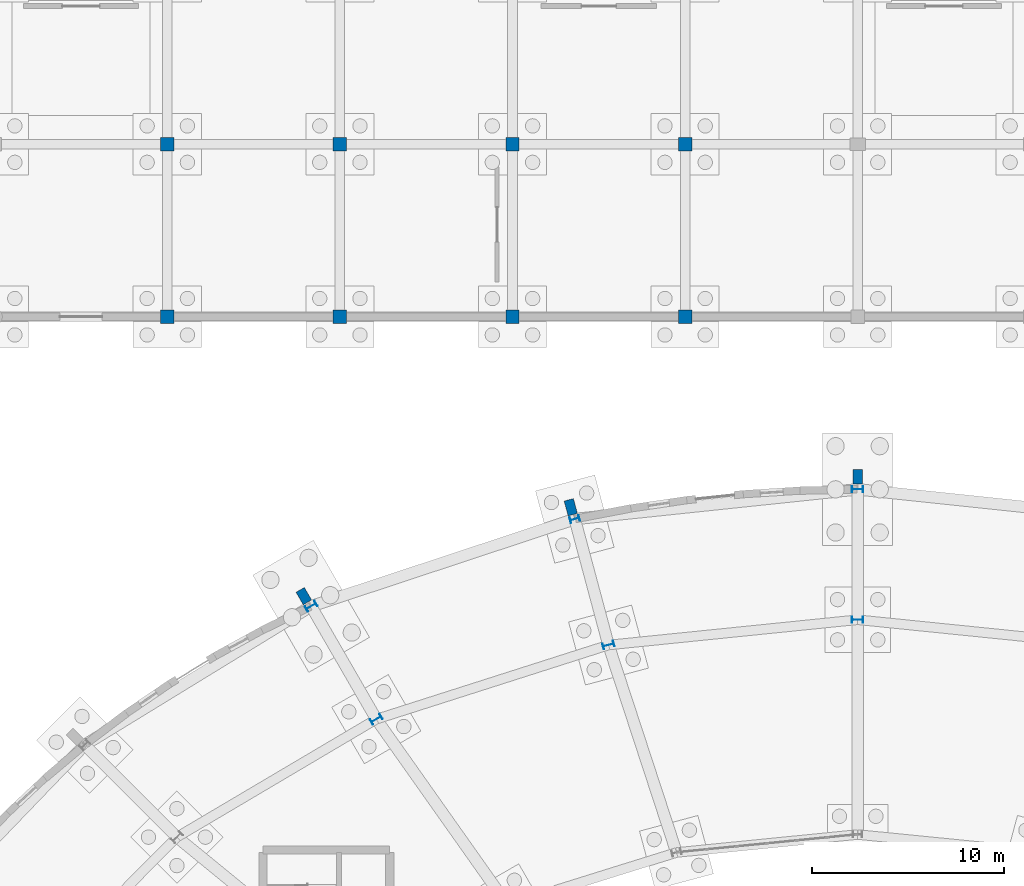
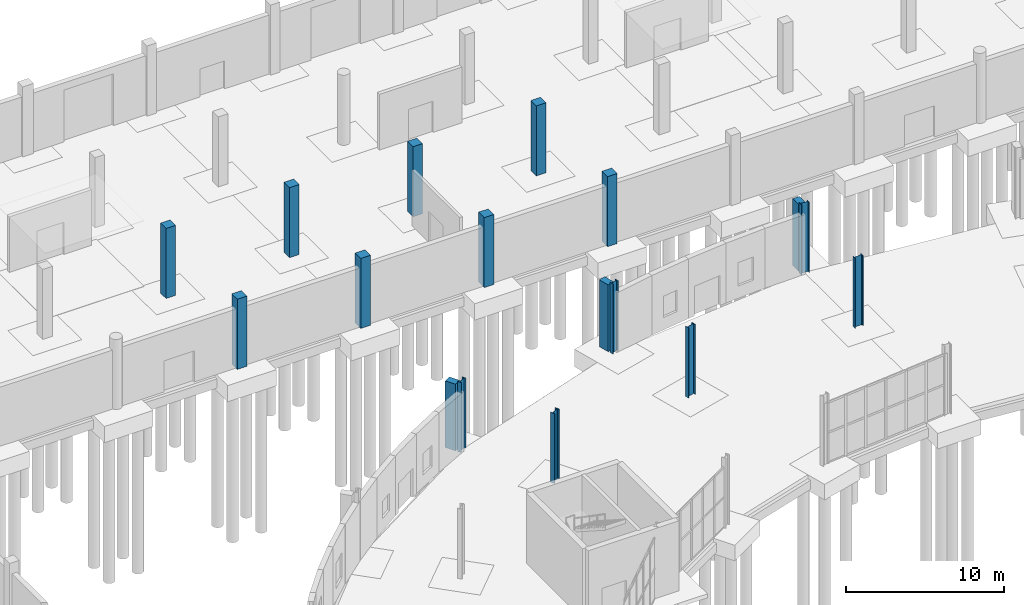
# One storey, part 45 of 118: 17 columns.
"""IFC4 building model written with IfcOpenShell, lengths in metres."""

from ifc_helpers import new_model, si_unit, direction, frame, origin, origin_2d, place, context, subcontext, project, spatial, rectangle, i_section, extrude, material, material_profile, profile_set, type_object, element, save


model = new_model("IFC4")

# Units and contexts
model_context = context("Model", 3, precision=1e-05, world=origin(), true_north=direction((0.0, 1.0)))
body_context = subcontext(model_context, "Body", "Model", "MODEL_VIEW")
ifc_project = project(units=[si_unit("LENGTHUNIT", "METRE"), si_unit("AREAUNIT", "SQUARE_METRE"), si_unit("VOLUMEUNIT", "CUBIC_METRE"), si_unit("PLANEANGLEUNIT", "RADIAN"), si_unit("MASSUNIT", "GRAM", prefix="KILO")], contexts=[model_context])

# Site, building, storey
site_placement = place(None, origin())
site = spatial("IfcSite", under=ifc_project, at=site_placement, CompositionType="ELEMENT")
building_placement = place(site_placement, origin())
building = spatial("IfcBuilding", under=site, at=building_placement, Name="Kildeholm Park Wholesale Market", CompositionType="ELEMENT")
storey_placement = place(building_placement, origin())
storey = spatial("IfcBuildingStorey", under=building, at=storey_placement, Name="L00", CompositionType="ELEMENT", Elevation=0.0)

# Columns
ifc_material_1 = material(Name="Concrete C40/50", Category="concrete")
ifc_material_profile_1 = material_profile(ifc_material_1, rectangle(XDim=0.699951171875, YDim=0.699951171875, at=origin_2d()), Name="RC 700x700")
ifc_profile_set_1 = profile_set([ifc_material_profile_1], Name="Concrete C40/50")
column_type_1 = type_object("IfcColumnType", Name="Column C-R03 RC 700x700", PredefinedType="COLUMN", material=ifc_profile_set_1)
for number, where, z_axis, x_axis, name in (
    (1, (63.0, 144.0, 0.0), (0.0, 0.0, 1.0), (1.0, 0.0, 0.0), "Column V4-063-144 L00 COL-0486"),
    (2, (63.0, 153.0, 0.0), (0.0, 0.0, 1.0), (1.0, 0.0, 0.0), "Column V4-063-153 L00 COL-0488"),
    (3, (72.0, 144.0, 0.0), (0.0, 0.0, 1.0), (1.0, 0.0, 0.0), "Column V4-072-144 L00 COL-0497"),
    (4, (72.0, 153.0, 0.0), (0.0, 0.0, 1.0), (1.0, 0.0, 0.0), "Column V4-072-153 L00 COL-0499"),
    (5, (81.0, 144.0, 0.0), (0.0, 0.0, 1.0), (1.0, 0.0, 0.0), "Column V4-081-144 L00 COL-0508"),
    (6, (81.0, 153.0, 0.0), (0.0, 0.0, 1.0), (1.0, 0.0, 0.0), "Column V4-081-153 L00 COL-0510"),
    (7, (90.0, 144.0, 0.0), (0.0, 0.0, 1.0), (1.0, 0.0, 0.0), "Column V4-090-144 L00 COL-0519"),
    (8, (90.0, 153.0, 0.0), (0.0, 0.0, 1.0), (1.0, 0.0, 0.0), "Column V4-090-153 L00 COL-0521"),
):
    element("IfcColumn", number, at=place(storey_placement, frame(where, z_axis=z_axis, x_axis=x_axis)), inside=storey, type_object=column_type_1, Name=name, PredefinedType="COLUMN", context=body_context, shape_type="SweptSolid", body=[
        extrude(rectangle(XDim=0.699951171875, YDim=0.699951171875, at=origin_2d()), origin(), (0.0, 0.0, 1.0), 5.39990234375),
    ])
ifc_material_2 = material(Name="Steel S355", Category="steel")
ifc_material_profile_2 = material_profile(ifc_material_2, i_section(OverallWidth=0.300048828125, OverallDepth=0.5, WebThickness=0.014404296875, FlangeThickness=0.028076171875, FilletRadius=0.027099609375, at=origin_2d()), Name="HEB 500")
ifc_profile_set_2 = profile_set([ifc_material_profile_2], Name="Steel S355")
column_type_2 = type_object("IfcColumnType", Name="Column C-S07 HEB 500", PredefinedType="COLUMN", material=ifc_profile_set_2)
column_1_placement = place(storey_placement, frame((84.2470703125, 133.449951171875, 0.0), z_axis=(0.0, 0.0, 1.0), x_axis=(-0.258819045103, 0.965925826289, 0.0)))
element("IfcColumn", 9, at=column_1_placement, inside=storey, type_object=column_type_2, Name="Column V1-OT-07 L00 COL-0070", PredefinedType="COLUMN", context=body_context, shape_type="SweptSolid", body=[
    extrude(i_section(OverallWidth=0.300048828125, OverallDepth=0.5, WebThickness=0.014404296875, FlangeThickness=0.028076171875, FilletRadius=0.027099609375, at=origin_2d()), origin(), (0.0, 0.0, 1.0), 5.39990234375),
])
ifc_material_profile_3 = material_profile(ifc_material_2, i_section(OverallWidth=0.300048828125, OverallDepth=0.60009765625, WebThickness=0.015380859375, FlangeThickness=0.030029296875, FilletRadius=0.027099609375, at=origin_2d()), Name="HEB 600")
ifc_profile_set_3 = profile_set([ifc_material_profile_3], Name="Steel S355")
column_type_3 = type_object("IfcColumnType", Name="Column C-S08 HEB 600", PredefinedType="COLUMN", material=ifc_profile_set_3)
for number, where, z_axis, x_axis, name in (
    (10, (99.0, 128.199951171875, 0.0), (0.0, 0.0, 1.0), (0.0, 1.0, 0.0), "Column V1-MD-06 L00 COL-0058"),
    (11, (99.0, 135.0, 0.0), (0.0, 0.0, 1.0), (0.0, 1.0, 0.0), "Column V1-OT-06 L00 COL-0061"),
    (12, (86.007080078125, 126.881103515625, 0.0), (0.0, 0.0, 1.0), (-0.258819045103, 0.965925826289, 0.0), "Column V1-MD-07 L00 COL-0067"),
    (13, (73.89990234375, 123.014892578125, 0.0), (0.0, 0.0, 1.0), (-0.5, 0.866025403784, 0.0), "Column V1-MD-08 L00 COL-0076"),
    (14, (70.5, 128.904052734375, 0.0), (0.0, 0.0, 1.0), (-0.5, 0.866025403784, 0.0), "Column V1-OT-08 L00 COL-0079"),
):
    element("IfcColumn", number, at=place(storey_placement, frame(where, z_axis=z_axis, x_axis=x_axis)), inside=storey, type_object=column_type_3, Name=name, PredefinedType="COLUMN", context=body_context, shape_type="SweptSolid", body=[
        extrude(i_section(OverallWidth=0.300048828125, OverallDepth=0.60009765625, WebThickness=0.015380859375, FlangeThickness=0.030029296875, FilletRadius=0.027099609375, at=origin_2d()), origin(), (0.0, 0.0, 1.0), 5.39990234375),
    ])
ifc_material_3 = material(Name="Precast concrete C40/50", Category="concrete")
ifc_material_profile_4 = material_profile(ifc_material_3, rectangle(XDim=0.800048828125, YDim=0.5, at=origin_2d()), Name="PIL 800x500")
ifc_profile_set_4 = profile_set([ifc_material_profile_4], Name="Precast concrete C40/50")
column_type_4 = type_object("IfcColumnType", Name="Column PL-M01 PIL 800x500", PredefinedType="PILASTER", material=ifc_profile_set_4)
column_2_placement = place(storey_placement, frame((84.0400390625, 134.06591796875, 0.0), z_axis=(0.0, 0.0, 1.0), x_axis=(-0.258819045103, 0.965925826289, 0.0)))
element("IfcColumn", 15, at=column_2_placement, inside=storey, type_object=column_type_4, Name="Market ring pilaster 8 COL-0072", PredefinedType="PILASTER", context=body_context, shape_type="SweptSolid", body=[
    extrude(rectangle(XDim=0.800048828125, YDim=0.5, at=origin_2d()), origin(), (0.0, 0.0, 1.0), 5.14990234375),
])
ifc_material_profile_5 = material_profile(ifc_material_3, rectangle(XDim=0.75, YDim=0.5, at=origin_2d()), Name="PIL 750x500")
ifc_profile_set_5 = profile_set([ifc_material_profile_5], Name="Precast concrete C40/50")
column_type_5 = type_object("IfcColumnType", Name="Column PL-M02 PIL 750x500", PredefinedType="PILASTER", material=ifc_profile_set_5)
for number, where, z_axis, x_axis, name in (
    (16, (99.0, 135.64990234375, 0.0), (0.0, 0.0, 1.0), (0.0, 1.0, 0.0), "Market ring pilaster 7 COL-0063"),
    (17, (70.118896484375, 129.430908203125, 0.0), (0.0, 0.0, 1.0), (-0.5, 0.866025403784, 0.0), "Market ring pilaster 9 COL-0081"),
):
    element("IfcColumn", number, at=place(storey_placement, frame(where, z_axis=z_axis, x_axis=x_axis)), inside=storey, type_object=column_type_5, Name=name, PredefinedType="PILASTER", context=body_context, shape_type="SweptSolid", body=[
        extrude(rectangle(XDim=0.75, YDim=0.5, at=origin_2d()), origin(), (0.0, 0.0, 1.0), 5.14990234375),
    ])

save(model, "model.ifc")
